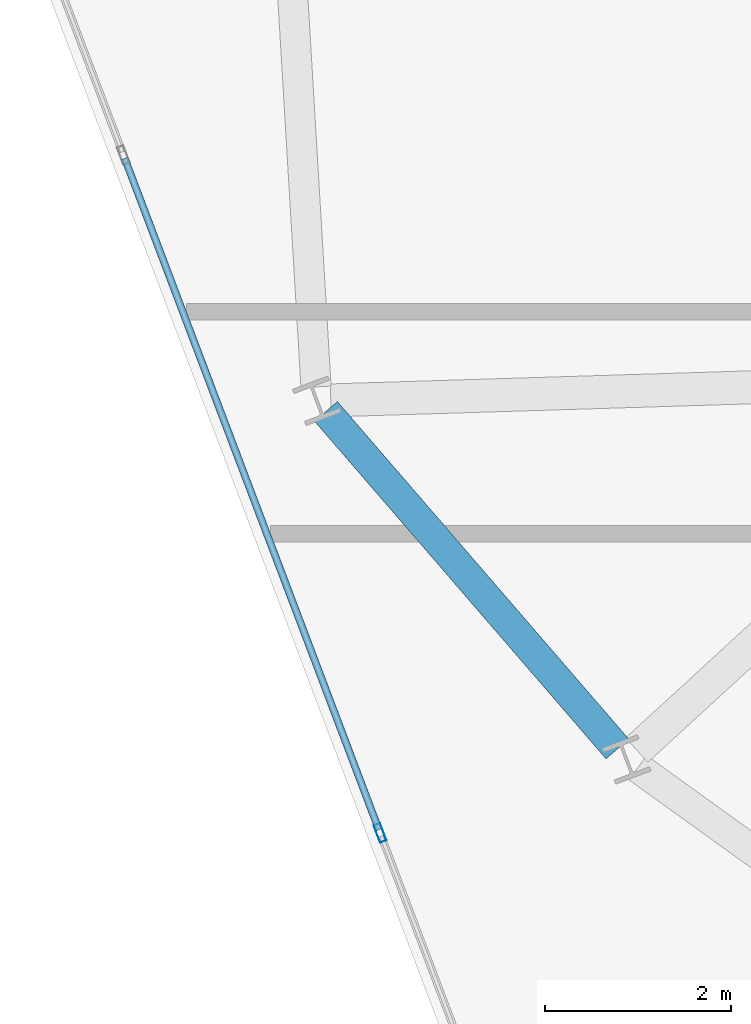
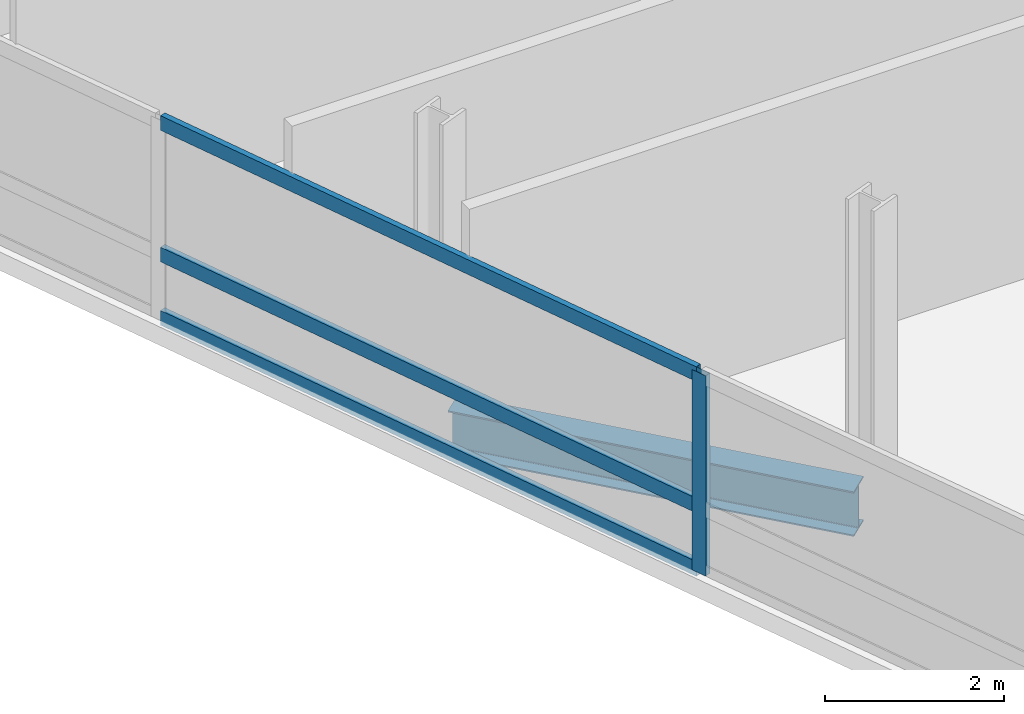
# One storey, part 5 of 20: 4 members, 1 beam, 1 element without a shape of its own.
"""IFC4 building model written with IfcOpenShell, lengths in metres."""

from ifc_helpers import new_model, si_unit, direction, frame, origin, origin_2d, place, context, subcontext, project, spatial, hollow_rectangle, i_section, extrude, material, layer, layer_set, material_profile, profile_set, type_object, element, aggregate, save


model = new_model("IFC4")

# Units and contexts
model_context = context("Model", 3, precision=1e-05, world=origin(), true_north=direction((0.0, 1.0)))
body_context = subcontext(model_context, "Body", "Model", "MODEL_VIEW")
ifc_project = project(units=[si_unit("LENGTHUNIT", "METRE"), si_unit("AREAUNIT", "SQUARE_METRE"), si_unit("VOLUMEUNIT", "CUBIC_METRE"), si_unit("PLANEANGLEUNIT", "RADIAN"), si_unit("MASSUNIT", "GRAM", prefix="KILO")], contexts=[model_context])

# Site, building, storey
site_placement = place(None, origin())
site = spatial("IfcSite", under=ifc_project, at=site_placement, CompositionType="ELEMENT")
building_placement = place(site_placement, origin())
building = spatial("IfcBuilding", under=site, at=building_placement, Name="Varnelok Gate Tower", CompositionType="ELEMENT")
storey_placement = place(building_placement, frame((0.0, 0.0, 234.89990234375)))
storey = spatial("IfcBuildingStorey", under=building, at=storey_placement, Name="L60", CompositionType="ELEMENT", Elevation=234.89990234375)

# Beam
ifc_material_1 = material(Name="Structural Steel ASTM A992 Grade 50", Category="steel")
ifc_material_profile_1 = material_profile(ifc_material_1, i_section(OverallWidth=0.323974609375, OverallDepth=0.611083984375, WebThickness=0.0126953125, FlangeThickness=0.01904296875, FilletRadius=0.01806640625, at=origin_2d()), Name="W24X104")
ifc_profile_set_1 = profile_set([ifc_material_profile_1], Name="Structural Steel ASTM A992 Grade 50")
beam_type = type_object("IfcBeamType", Name="BM-SPN-W24X104", PredefinedType="SPANDREL", material=ifc_profile_set_1)
beam_placement = place(storey_placement, frame((7.79248046875, 18.1669921875, -0.555419921875), z_axis=(0.653484787698, -0.756939649013, 0.0), x_axis=(0.756939649013, 0.653484787698, 0.0)))
element("IfcBeam", 1, at=beam_placement, inside=storey, type_object=beam_type, Name="L60 Perimeter Spandrel Beam 15", PredefinedType="SPANDREL", context=body_context, shape_type="SweptSolid", body=[
    extrude(i_section(OverallWidth=0.323974609375, OverallDepth=0.611083984375, WebThickness=0.0126953125, FlangeThickness=0.01904296875, FilletRadius=0.01806640625, at=origin_2d()), origin(), (0.0, 0.0, 1.0), 4.800048828125),
])

# Curtain wall, members
ifc_material_2 = material(Name="Anodized Aluminum Alloy 6063-T6", Category="aluminium")
ifc_layer = layer(ifc_material_2, 0.179931640625)
ifc_layer_set = layer_set([ifc_layer], Name="Anodized Aluminum Alloy 6063-T6")
curtain_wall_type = type_object("IfcCurtainWallType", Name="CW4-RESIDENCE-VISION", PredefinedType="USERDEFINED", material=ifc_layer_set)
curtain_wall_placement = place(storey_placement, origin())
curtain_wall = element("IfcCurtainWall", 2, at=curtain_wall_placement, inside=storey, type_object=curtain_wall_type, Name="L60 West End Vision Curtain Wall", ObjectType="UNITISED CURTAIN WALL", PredefinedType="USERDEFINED")
ifc_material_profile_2 = material_profile(ifc_material_2, hollow_rectangle(XDim=0.074951171875, YDim=0.199951171875, WallThickness=0.00390625, at=origin_2d()), Name="ALU200X75X4")
ifc_profile_set_2 = profile_set([ifc_material_profile_2], Name="Anodized Aluminum Alloy 6063-T6")
member_type_1 = type_object("IfcMemberType", Name="CW-MULL-200", PredefinedType="MULLION", material=ifc_profile_set_2)
member_1_placement = place(storey_placement, frame((8.375, 13.630126953125, 0.0), z_axis=(0.0, 0.0, 1.0), x_axis=(-0.935221557832, -0.354063042079, 0.0)))
member_1 = element("IfcMember", 3, at=member_1_placement, type_object=member_type_1, Name="CW4 mullion 3", PredefinedType="MULLION", context=body_context, shape_type="SweptSolid", body=[
    extrude(hollow_rectangle(XDim=0.074951171875, YDim=0.199951171875, WallThickness=0.00390625, at=origin_2d()), origin(), (0.0, 0.0, 1.0), 2.72998046875),
])
ifc_material_profile_3 = material_profile(ifc_material_2, hollow_rectangle(XDim=0.074951171875, YDim=0.199951171875, WallThickness=0.00390625, at=origin_2d()), Name="ALU200X75X4")
ifc_profile_set_3 = profile_set([ifc_material_profile_3], Name="Anodized Aluminum Alloy 6063-T6")
member_type_2 = type_object("IfcMemberType", Name="CW-TRAN-200", PredefinedType="USERDEFINED", material=ifc_profile_set_3)
member_2_placement = place(storey_placement, frame((8.36181640625, 13.665283203125, 0.03759765625), z_axis=(-0.354058714128, 0.935223196328, 0.0), x_axis=(-0.935223196328, -0.354058714128, 0.0)))
member_2 = element("IfcMember", 4, at=member_2_placement, type_object=member_type_2, Name="CW4 transom 3.1", ObjectType="TRANSOM", PredefinedType="USERDEFINED", context=body_context, shape_type="SweptSolid", body=[
    extrude(hollow_rectangle(XDim=0.074951171875, YDim=0.199951171875, WallThickness=0.00390625, at=origin_2d()), origin(), (0.0, 0.0, 1.0), 7.72509765625),
])
member_3_placement = place(storey_placement, frame((8.36181640625, 13.665283203125, 0.900146484375), z_axis=(-0.354058714128, 0.935223196328, 0.0), x_axis=(-0.935223196328, -0.354058714128, 0.0)))
member_3 = element("IfcMember", 5, at=member_3_placement, type_object=member_type_2, Name="CW4 transom 3.2", ObjectType="TRANSOM", PredefinedType="USERDEFINED", context=body_context, shape_type="SweptSolid", body=[
    extrude(hollow_rectangle(XDim=0.074951171875, YDim=0.199951171875, WallThickness=0.00390625, at=origin_2d()), origin(), (0.0, 0.0, 1.0), 7.72509765625),
])
member_4_placement = place(storey_placement, frame((8.36181640625, 13.665283203125, 2.692626953125), z_axis=(-0.354058714128, 0.935223196328, 0.0), x_axis=(-0.935223196328, -0.354058714128, 0.0)))
member_4 = element("IfcMember", 6, at=member_4_placement, type_object=member_type_2, Name="CW4 transom 3.3", ObjectType="TRANSOM", PredefinedType="USERDEFINED", context=body_context, shape_type="SweptSolid", body=[
    extrude(hollow_rectangle(XDim=0.074951171875, YDim=0.199951171875, WallThickness=0.00390625, at=origin_2d()), origin(), (0.0, 0.0, 1.0), 7.72509765625),
])
aggregate(curtain_wall, [member_1, member_2, member_3, member_4])

save(model, "model.ifc")
